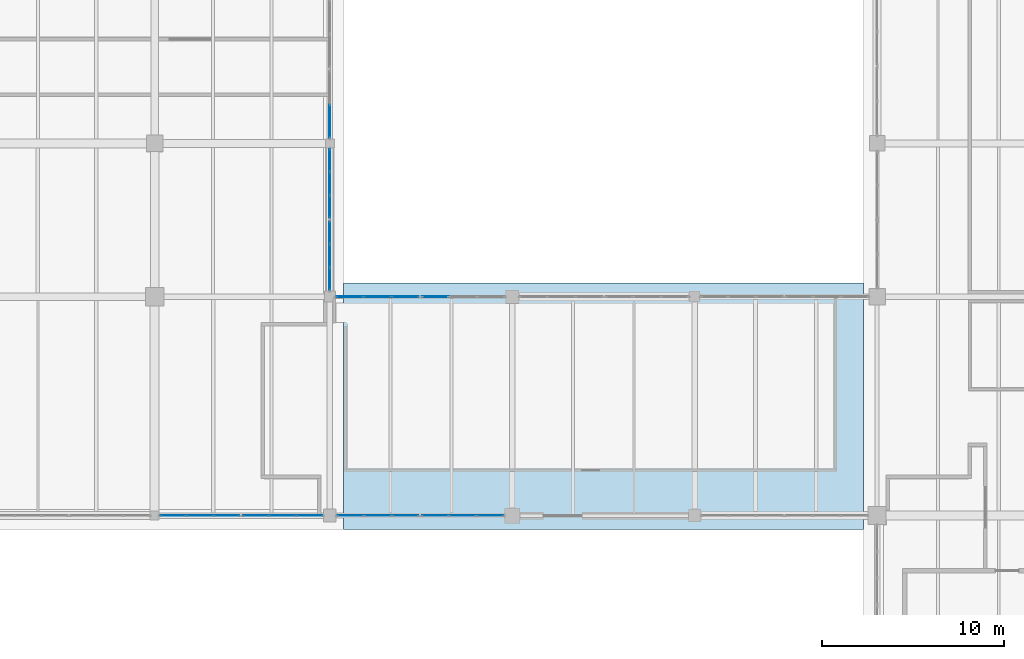
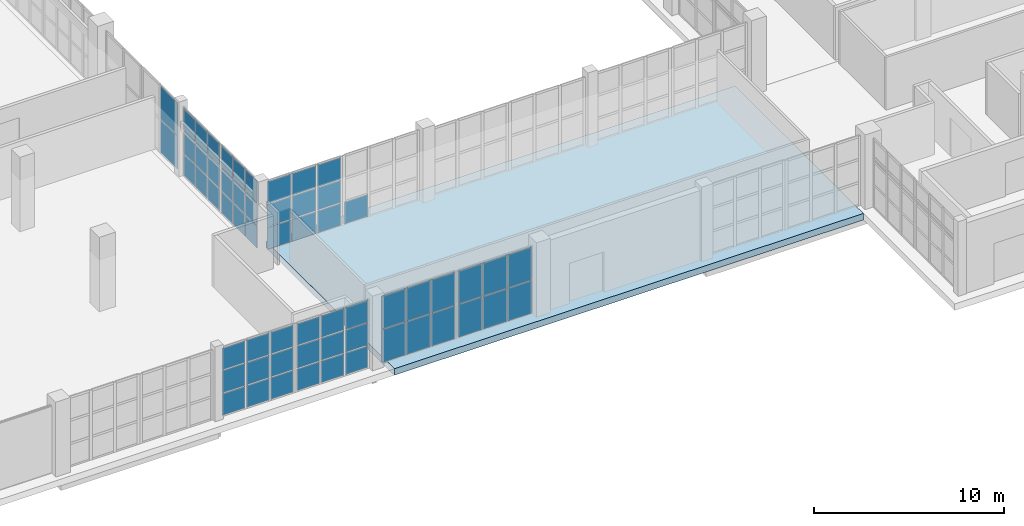
# One storey, part 80 of 121: 60 plates, 1 slab, 9 elements without a shape of their own.
"""IFC4 building model written with IfcOpenShell, lengths in metres."""

from ifc_helpers import new_model, si_unit, direction, frame, origin, origin_2d, place, context, subcontext, project, spatial, polyline, rectangle, outline, extrude, material, layer, layer_set, type_object, element, aggregate, save


model = new_model("IFC4")

# Units and contexts
model_context = context("Model", 3, precision=1e-05, world=origin(), true_north=direction((0.0, 1.0)))
body_context = subcontext(model_context, "Body", "Model", "MODEL_VIEW")
ifc_project = project(units=[si_unit("LENGTHUNIT", "METRE"), si_unit("AREAUNIT", "SQUARE_METRE"), si_unit("VOLUMEUNIT", "CUBIC_METRE"), si_unit("PLANEANGLEUNIT", "RADIAN"), si_unit("MASSUNIT", "GRAM", prefix="KILO")], contexts=[model_context])

# Site, building, storey
site_placement = place(None, origin())
site = spatial("IfcSite", under=ifc_project, at=site_placement, CompositionType="ELEMENT")
building_placement = place(site_placement, origin())
building = spatial("IfcBuilding", under=site, at=building_placement, Name="Zereglee Splitstone Museum", CompositionType="ELEMENT")
storey_placement = place(building_placement, origin())
storey = spatial("IfcBuildingStorey", under=building, at=storey_placement, Name="L00", CompositionType="ELEMENT", Elevation=0.0)

# Curtain wall, plate
ifc_material_1 = material(Name="Triple-glazed low-E argon glass and bronze-anodised aluminium", Category="aluminium")
ifc_layer_1 = layer(ifc_material_1, 0.179931640625)
ifc_layer_set_1 = layer_set([ifc_layer_1], Name="Triple-glazed low-E argon glass and bronze-anodised aluminium")
curtain_wall_type_1 = type_object("IfcCurtainWallType", Name="CW-0461-450", PredefinedType="USERDEFINED", material=ifc_layer_set_1)
curtain_wall_1_placement = place(storey_placement, origin())
curtain_wall_1 = element("IfcCurtainWall", 1, at=curtain_wall_1_placement, inside=storey, type_object=curtain_wall_type_1, Name="Glazed Curtain Wall CW-0461-450 (L00)", ObjectType="GLAZED CURTAIN WALL", PredefinedType="USERDEFINED")
ifc_material_2 = material(Name="Triple low-e argon insulated safety glass", Category="glass")
ifc_layer_2 = layer(ifc_material_2, 0.035888671875)
ifc_layer_set_2 = layer_set([ifc_layer_2], Name="Triple low-e argon insulated safety glass")
plate_type = type_object("IfcPlateType", Name="CWP-01", PredefinedType="CURTAIN_PANEL", material=ifc_layer_set_2)
plate_1_placement = place(storey_placement, frame((150.98779296875, 21.60009765625, 0.06494140625), z_axis=(0.0, 0.0, 1.0), x_axis=(-1.0, 0.0, 0.0)))
plate_1 = element("IfcPlate", 2, at=plate_1_placement, type_object=plate_type, Name="CW-0461-450 panel 3.1", PredefinedType="CURTAIN_PANEL", context=body_context, shape_type="SweptSolid", body=[
    extrude(rectangle(XDim=1.440673828125, YDim=0.035888671875, at=origin_2d()), origin(), (0.0, 0.0, 1.0), 1.402587890625),
])
aggregate(curtain_wall_1, [plate_1])

# Curtain wall, plates
ifc_layer_3 = layer(ifc_material_1, 0.179931640625)
ifc_layer_set_3 = layer_set([ifc_layer_3], Name="Triple-glazed low-E argon glass and bronze-anodised aluminium")
curtain_wall_type_2 = type_object("IfcCurtainWallType", Name="CW-0461-448", PredefinedType="USERDEFINED", material=ifc_layer_set_3)
curtain_wall_2_placement = place(storey_placement, origin())
curtain_wall_2 = element("IfcCurtainWall", 3, at=curtain_wall_2_placement, inside=storey, type_object=curtain_wall_type_2, Name="Glazed Curtain Wall CW-0461-448 (L00)", ObjectType="GLAZED CURTAIN WALL", PredefinedType="USERDEFINED")
plate_2_placement = place(storey_placement, frame((149.337158203125, 21.60009765625, 0.06494140625), z_axis=(0.0, 0.0, 1.0), x_axis=(-1.0, 0.0, 0.0)))
plate_2 = element("IfcPlate", 4, at=plate_2_placement, type_object=plate_type, Name="CW-0461-448 panel 1.1", PredefinedType="CURTAIN_PANEL", context=body_context, shape_type="SweptSolid", body=[
    extrude(rectangle(XDim=1.440673828125, YDim=0.035888671875, at=origin_2d()), origin(), (0.0, 0.0, 1.0), 1.395751953125),
])
plate_3_placement = place(storey_placement, frame((149.337158203125, 21.60009765625, 1.52587890625), z_axis=(0.0, 0.0, 1.0), x_axis=(-1.0, 0.0, 0.0)))
plate_3 = element("IfcPlate", 5, at=plate_3_placement, type_object=plate_type, Name="CW-0461-448 panel 1.2", PredefinedType="CURTAIN_PANEL", context=body_context, shape_type="SweptSolid", body=[
    extrude(rectangle(XDim=1.440673828125, YDim=0.035888671875, at=origin_2d()), origin(), (0.0, 0.0, 1.0), 1.428466796875),
])
plate_4_placement = place(storey_placement, frame((149.337158203125, 21.60009765625, 3.01904296875), z_axis=(0.0, 0.0, 1.0), x_axis=(-1.0, 0.0, 0.0)))
plate_4 = element("IfcPlate", 6, at=plate_4_placement, type_object=plate_type, Name="CW-0461-448 panel 1.3", PredefinedType="CURTAIN_PANEL", context=body_context, shape_type="SweptSolid", body=[
    extrude(rectangle(XDim=1.440673828125, YDim=0.035888671875, at=origin_2d()), origin(), (0.0, 0.0, 1.0), 1.395751953125),
])
plate_5_placement = place(storey_placement, frame((147.815185546875, 21.60009765625, 0.06494140625), z_axis=(0.0, 0.0, 1.0), x_axis=(-1.0, 0.0, 0.0)))
plate_5 = element("IfcPlate", 7, at=plate_5_placement, type_object=plate_type, Name="CW-0461-448 panel 2.1", PredefinedType="CURTAIN_PANEL", context=body_context, shape_type="SweptSolid", body=[
    extrude(rectangle(XDim=1.47314453125, YDim=0.035888671875, at=origin_2d()), origin(), (0.0, 0.0, 1.0), 1.395751953125),
])
plate_6_placement = place(storey_placement, frame((147.815185546875, 21.60009765625, 1.52587890625), z_axis=(0.0, 0.0, 1.0), x_axis=(-1.0, 0.0, 0.0)))
plate_6 = element("IfcPlate", 8, at=plate_6_placement, type_object=plate_type, Name="CW-0461-448 panel 2.2", PredefinedType="CURTAIN_PANEL", context=body_context, shape_type="SweptSolid", body=[
    extrude(rectangle(XDim=1.47314453125, YDim=0.035888671875, at=origin_2d()), origin(), (0.0, 0.0, 1.0), 1.428466796875),
])
plate_7_placement = place(storey_placement, frame((147.815185546875, 21.60009765625, 3.01904296875), z_axis=(0.0, 0.0, 1.0), x_axis=(-1.0, 0.0, 0.0)))
plate_7 = element("IfcPlate", 9, at=plate_7_placement, type_object=plate_type, Name="CW-0461-448 panel 2.3", PredefinedType="CURTAIN_PANEL", context=body_context, shape_type="SweptSolid", body=[
    extrude(rectangle(XDim=1.47314453125, YDim=0.035888671875, at=origin_2d()), origin(), (0.0, 0.0, 1.0), 1.395751953125),
])
plate_8_placement = place(storey_placement, frame((146.293212890625, 21.60009765625, 0.06494140625), z_axis=(0.0, 0.0, 1.0), x_axis=(-1.0, 0.0, 0.0)))
plate_8 = element("IfcPlate", 10, at=plate_8_placement, type_object=plate_type, Name="CW-0461-448 panel 3.1", PredefinedType="CURTAIN_PANEL", context=body_context, shape_type="SweptSolid", body=[
    extrude(rectangle(XDim=1.440673828125, YDim=0.035888671875, at=origin_2d()), origin(), (0.0, 0.0, 1.0), 1.395751953125),
])
plate_9_placement = place(storey_placement, frame((146.293212890625, 21.60009765625, 1.52587890625), z_axis=(0.0, 0.0, 1.0), x_axis=(-1.0, 0.0, 0.0)))
plate_9 = element("IfcPlate", 11, at=plate_9_placement, type_object=plate_type, Name="CW-0461-448 panel 3.2", PredefinedType="CURTAIN_PANEL", context=body_context, shape_type="SweptSolid", body=[
    extrude(rectangle(XDim=1.440673828125, YDim=0.035888671875, at=origin_2d()), origin(), (0.0, 0.0, 1.0), 1.428466796875),
])
plate_10_placement = place(storey_placement, frame((146.293212890625, 21.60009765625, 3.01904296875), z_axis=(0.0, 0.0, 1.0), x_axis=(-1.0, 0.0, 0.0)))
plate_10 = element("IfcPlate", 12, at=plate_10_placement, type_object=plate_type, Name="CW-0461-448 panel 3.3", PredefinedType="CURTAIN_PANEL", context=body_context, shape_type="SweptSolid", body=[
    extrude(rectangle(XDim=1.440673828125, YDim=0.035888671875, at=origin_2d()), origin(), (0.0, 0.0, 1.0), 1.395751953125),
])
aggregate(curtain_wall_2, [plate_2, plate_3, plate_4, plate_5, plate_6, plate_7, plate_8, plate_9, plate_10])

ifc_layer_4 = layer(ifc_material_1, 0.179931640625)
ifc_layer_set_4 = layer_set([ifc_layer_4], Name="Triple-glazed low-E argon glass and bronze-anodised aluminium")
curtain_wall_type_3 = type_object("IfcCurtainWallType", Name="CW-0388-444", PredefinedType="USERDEFINED", material=ifc_layer_set_4)
curtain_wall_3_placement = place(storey_placement, origin())
curtain_wall_3 = element("IfcCurtainWall", 13, at=curtain_wall_3_placement, inside=storey, type_object=curtain_wall_type_3, Name="Glazed Curtain Wall CW-0388-444 (L00)", ObjectType="GLAZED CURTAIN WALL", PredefinedType="USERDEFINED")
plate_11_placement = place(storey_placement, frame((145.199951171875, 22.5703125, 0.06494140625), z_axis=(0.0, 0.0, 1.0), x_axis=(0.0, 1.0, 0.0)))
plate_11 = element("IfcPlate", 14, at=plate_11_placement, type_object=plate_type, Name="CW-0388-444 panel 1.1", PredefinedType="CURTAIN_PANEL", context=body_context, shape_type="SweptSolid", body=[
    extrude(rectangle(XDim=1.19482421875, YDim=0.035888671875, at=origin_2d()), origin(), (0.0, 0.0, 1.0), 1.382568359375),
])
plate_12_placement = place(storey_placement, frame((145.199951171875, 22.5703125, 1.512451171875), z_axis=(0.0, 0.0, 1.0), x_axis=(0.0, 1.0, 0.0)))
plate_12 = element("IfcPlate", 15, at=plate_12_placement, type_object=plate_type, Name="CW-0388-444 panel 1.2", PredefinedType="CURTAIN_PANEL", context=body_context, shape_type="SweptSolid", body=[
    extrude(rectangle(XDim=1.19482421875, YDim=0.035888671875, at=origin_2d()), origin(), (0.0, 0.0, 1.0), 1.4150390625),
])
plate_13_placement = place(storey_placement, frame((145.199951171875, 22.5703125, 2.99267578125), z_axis=(0.0, 0.0, 1.0), x_axis=(0.0, 1.0, 0.0)))
plate_13 = element("IfcPlate", 16, at=plate_13_placement, type_object=plate_type, Name="CW-0388-444 panel 1.3", PredefinedType="CURTAIN_PANEL", context=body_context, shape_type="SweptSolid", body=[
    extrude(rectangle(XDim=1.19482421875, YDim=0.035888671875, at=origin_2d()), origin(), (0.0, 0.0, 1.0), 1.382568359375),
])
plate_14_placement = place(storey_placement, frame((145.199951171875, 23.846435546875, 0.06494140625), z_axis=(0.0, 0.0, 1.0), x_axis=(0.0, 1.0, 0.0)))
plate_14 = element("IfcPlate", 17, at=plate_14_placement, type_object=plate_type, Name="CW-0388-444 panel 2.1", PredefinedType="CURTAIN_PANEL", context=body_context, shape_type="SweptSolid", body=[
    extrude(rectangle(XDim=1.227294921875, YDim=0.035888671875, at=origin_2d()), origin(), (0.0, 0.0, 1.0), 1.382568359375),
])
plate_15_placement = place(storey_placement, frame((145.199951171875, 23.846435546875, 1.512451171875), z_axis=(0.0, 0.0, 1.0), x_axis=(0.0, 1.0, 0.0)))
plate_15 = element("IfcPlate", 18, at=plate_15_placement, type_object=plate_type, Name="CW-0388-444 panel 2.2", PredefinedType="CURTAIN_PANEL", context=body_context, shape_type="SweptSolid", body=[
    extrude(rectangle(XDim=1.227294921875, YDim=0.035888671875, at=origin_2d()), origin(), (0.0, 0.0, 1.0), 1.4150390625),
])
plate_16_placement = place(storey_placement, frame((145.199951171875, 23.846435546875, 2.99267578125), z_axis=(0.0, 0.0, 1.0), x_axis=(0.0, 1.0, 0.0)))
plate_16 = element("IfcPlate", 19, at=plate_16_placement, type_object=plate_type, Name="CW-0388-444 panel 2.3", PredefinedType="CURTAIN_PANEL", context=body_context, shape_type="SweptSolid", body=[
    extrude(rectangle(XDim=1.227294921875, YDim=0.035888671875, at=origin_2d()), origin(), (0.0, 0.0, 1.0), 1.382568359375),
])
plate_17_placement = place(storey_placement, frame((145.199951171875, 25.12255859375, 0.06494140625), z_axis=(0.0, 0.0, 1.0), x_axis=(0.0, 1.0, 0.0)))
plate_17 = element("IfcPlate", 20, at=plate_17_placement, type_object=plate_type, Name="CW-0388-444 panel 3.1", PredefinedType="CURTAIN_PANEL", context=body_context, shape_type="SweptSolid", body=[
    extrude(rectangle(XDim=1.19482421875, YDim=0.035888671875, at=origin_2d()), origin(), (0.0, 0.0, 1.0), 1.382568359375),
])
plate_18_placement = place(storey_placement, frame((145.199951171875, 25.12255859375, 1.512451171875), z_axis=(0.0, 0.0, 1.0), x_axis=(0.0, 1.0, 0.0)))
plate_18 = element("IfcPlate", 21, at=plate_18_placement, type_object=plate_type, Name="CW-0388-444 panel 3.2", PredefinedType="CURTAIN_PANEL", context=body_context, shape_type="SweptSolid", body=[
    extrude(rectangle(XDim=1.19482421875, YDim=0.035888671875, at=origin_2d()), origin(), (0.0, 0.0, 1.0), 1.4150390625),
])
plate_19_placement = place(storey_placement, frame((145.199951171875, 25.12255859375, 2.99267578125), z_axis=(0.0, 0.0, 1.0), x_axis=(0.0, 1.0, 0.0)))
plate_19 = element("IfcPlate", 22, at=plate_19_placement, type_object=plate_type, Name="CW-0388-444 panel 3.3", PredefinedType="CURTAIN_PANEL", context=body_context, shape_type="SweptSolid", body=[
    extrude(rectangle(XDim=1.19482421875, YDim=0.035888671875, at=origin_2d()), origin(), (0.0, 0.0, 1.0), 1.382568359375),
])
aggregate(curtain_wall_3, [plate_11, plate_12, plate_13, plate_14, plate_15, plate_16, plate_17, plate_18, plate_19])

ifc_layer_5 = layer(ifc_material_1, 0.179931640625)
ifc_layer_set_5 = layer_set([ifc_layer_5], Name="Triple-glazed low-E argon glass and bronze-anodised aluminium")
curtain_wall_type_4 = type_object("IfcCurtainWallType", Name="CW-0388-442", PredefinedType="USERDEFINED", material=ifc_layer_set_5)
curtain_wall_4_placement = place(storey_placement, origin())
curtain_wall_4 = element("IfcCurtainWall", 23, at=curtain_wall_4_placement, inside=storey, type_object=curtain_wall_type_4, Name="Glazed Curtain Wall CW-0388-442 (L00)", ObjectType="GLAZED CURTAIN WALL", PredefinedType="USERDEFINED")
plate_20_placement = place(storey_placement, frame((145.199951171875, 26.52734375, 0.06494140625), z_axis=(0.0, 0.0, 1.0), x_axis=(0.0, 1.0, 0.0)))
plate_20 = element("IfcPlate", 24, at=plate_20_placement, type_object=plate_type, Name="CW-0388-442 panel 1.1", PredefinedType="CURTAIN_PANEL", context=body_context, shape_type="SweptSolid", body=[
    extrude(rectangle(XDim=1.19482421875, YDim=0.035888671875, at=origin_2d()), origin(), (0.0, 0.0, 1.0), 1.375732421875),
])
plate_21_placement = place(storey_placement, frame((145.199951171875, 26.52734375, 1.505859375), z_axis=(0.0, 0.0, 1.0), x_axis=(0.0, 1.0, 0.0)))
plate_21 = element("IfcPlate", 25, at=plate_21_placement, type_object=plate_type, Name="CW-0388-442 panel 1.2", PredefinedType="CURTAIN_PANEL", context=body_context, shape_type="SweptSolid", body=[
    extrude(rectangle(XDim=1.19482421875, YDim=0.035888671875, at=origin_2d()), origin(), (0.0, 0.0, 1.0), 1.408447265625),
])
plate_22_placement = place(storey_placement, frame((145.199951171875, 26.52734375, 2.97900390625), z_axis=(0.0, 0.0, 1.0), x_axis=(0.0, 1.0, 0.0)))
plate_22 = element("IfcPlate", 26, at=plate_22_placement, type_object=plate_type, Name="CW-0388-442 panel 1.3", PredefinedType="CURTAIN_PANEL", context=body_context, shape_type="SweptSolid", body=[
    extrude(rectangle(XDim=1.19482421875, YDim=0.035888671875, at=origin_2d()), origin(), (0.0, 0.0, 1.0), 1.375732421875),
])
plate_23_placement = place(storey_placement, frame((145.199951171875, 27.803466796875, 0.06494140625), z_axis=(0.0, 0.0, 1.0), x_axis=(0.0, 1.0, 0.0)))
plate_23 = element("IfcPlate", 27, at=plate_23_placement, type_object=plate_type, Name="CW-0388-442 panel 2.1", PredefinedType="CURTAIN_PANEL", context=body_context, shape_type="SweptSolid", body=[
    extrude(rectangle(XDim=1.227294921875, YDim=0.035888671875, at=origin_2d()), origin(), (0.0, 0.0, 1.0), 1.375732421875),
])
plate_24_placement = place(storey_placement, frame((145.199951171875, 27.803466796875, 1.505859375), z_axis=(0.0, 0.0, 1.0), x_axis=(0.0, 1.0, 0.0)))
plate_24 = element("IfcPlate", 28, at=plate_24_placement, type_object=plate_type, Name="CW-0388-442 panel 2.2", PredefinedType="CURTAIN_PANEL", context=body_context, shape_type="SweptSolid", body=[
    extrude(rectangle(XDim=1.227294921875, YDim=0.035888671875, at=origin_2d()), origin(), (0.0, 0.0, 1.0), 1.408447265625),
])
plate_25_placement = place(storey_placement, frame((145.199951171875, 27.803466796875, 2.97900390625), z_axis=(0.0, 0.0, 1.0), x_axis=(0.0, 1.0, 0.0)))
plate_25 = element("IfcPlate", 29, at=plate_25_placement, type_object=plate_type, Name="CW-0388-442 panel 2.3", PredefinedType="CURTAIN_PANEL", context=body_context, shape_type="SweptSolid", body=[
    extrude(rectangle(XDim=1.227294921875, YDim=0.035888671875, at=origin_2d()), origin(), (0.0, 0.0, 1.0), 1.375732421875),
])
plate_26_placement = place(storey_placement, frame((145.199951171875, 29.07958984375, 0.06494140625), z_axis=(0.0, 0.0, 1.0), x_axis=(0.0, 1.0, 0.0)))
plate_26 = element("IfcPlate", 30, at=plate_26_placement, type_object=plate_type, Name="CW-0388-442 panel 3.1", PredefinedType="CURTAIN_PANEL", context=body_context, shape_type="SweptSolid", body=[
    extrude(rectangle(XDim=1.19482421875, YDim=0.035888671875, at=origin_2d()), origin(), (0.0, 0.0, 1.0), 1.375732421875),
])
plate_27_placement = place(storey_placement, frame((145.199951171875, 29.07958984375, 1.505859375), z_axis=(0.0, 0.0, 1.0), x_axis=(0.0, 1.0, 0.0)))
plate_27 = element("IfcPlate", 31, at=plate_27_placement, type_object=plate_type, Name="CW-0388-442 panel 3.2", PredefinedType="CURTAIN_PANEL", context=body_context, shape_type="SweptSolid", body=[
    extrude(rectangle(XDim=1.19482421875, YDim=0.035888671875, at=origin_2d()), origin(), (0.0, 0.0, 1.0), 1.408447265625),
])
plate_28_placement = place(storey_placement, frame((145.199951171875, 29.07958984375, 2.97900390625), z_axis=(0.0, 0.0, 1.0), x_axis=(0.0, 1.0, 0.0)))
plate_28 = element("IfcPlate", 32, at=plate_28_placement, type_object=plate_type, Name="CW-0388-442 panel 3.3", PredefinedType="CURTAIN_PANEL", context=body_context, shape_type="SweptSolid", body=[
    extrude(rectangle(XDim=1.19482421875, YDim=0.035888671875, at=origin_2d()), origin(), (0.0, 0.0, 1.0), 1.375732421875),
])
aggregate(curtain_wall_4, [plate_20, plate_21, plate_22, plate_23, plate_24, plate_25, plate_26, plate_27, plate_28])

ifc_layer_6 = layer(ifc_material_1, 0.179931640625)
ifc_layer_set_6 = layer_set([ifc_layer_6], Name="Triple-glazed low-E argon glass and bronze-anodised aluminium")
curtain_wall_type_5 = type_object("IfcCurtainWallType", Name="CW-0378-438", PredefinedType="USERDEFINED", material=ifc_layer_set_6)
curtain_wall_5_placement = place(storey_placement, origin())
curtain_wall_5 = element("IfcCurtainWall", 33, at=curtain_wall_5_placement, inside=storey, type_object=curtain_wall_type_5, Name="Glazed Curtain Wall CW-0378-438 (L00)", ObjectType="GLAZED CURTAIN WALL", PredefinedType="USERDEFINED")
plate_29_placement = place(storey_placement, frame((145.199951171875, 31.218505859375, 0.06494140625), z_axis=(0.0, 0.0, 1.0), x_axis=(0.0, 1.0, 0.0)))
plate_29 = element("IfcPlate", 34, at=plate_29_placement, type_object=plate_type, Name="CW-0378-438 panel 1.1", PredefinedType="CURTAIN_PANEL", context=body_context, shape_type="SweptSolid", body=[
    extrude(rectangle(XDim=1.791015625, YDim=0.035888671875, at=origin_2d()), origin(), (0.0, 0.0, 1.0), 2.092529296875),
])
plate_30_placement = place(storey_placement, frame((145.199951171875, 31.218505859375, 2.22265625), z_axis=(0.0, 0.0, 1.0), x_axis=(0.0, 1.0, 0.0)))
plate_30 = element("IfcPlate", 35, at=plate_30_placement, type_object=plate_type, Name="CW-0378-438 panel 1.2", PredefinedType="CURTAIN_PANEL", context=body_context, shape_type="SweptSolid", body=[
    extrude(rectangle(XDim=1.791015625, YDim=0.035888671875, at=origin_2d()), origin(), (0.0, 0.0, 1.0), 2.092529296875),
])
aggregate(curtain_wall_5, [plate_29, plate_30])

ifc_layer_7 = layer(ifc_material_1, 0.179931640625)
ifc_layer_set_7 = layer_set([ifc_layer_7], Name="Triple-glazed low-E argon glass and bronze-anodised aluminium")
curtain_wall_type_6 = type_object("IfcCurtainWallType", Name="CW-0445-444", PredefinedType="USERDEFINED", material=ifc_layer_set_7)
curtain_wall_6_placement = place(storey_placement, origin())
curtain_wall_6 = element("IfcCurtainWall", 36, at=curtain_wall_6_placement, inside=storey, type_object=curtain_wall_type_6, Name="Glazed Curtain Wall CW-0445-444 (L00)", ObjectType="GLAZED CURTAIN WALL", PredefinedType="USERDEFINED")
plate_31_placement = place(storey_placement, frame((136.6162109375, 9.60009765625, 0.06494140625), z_axis=(0.0, 0.0, 1.0), x_axis=(1.0, 0.0, 0.0)))
plate_31 = element("IfcPlate", 37, at=plate_31_placement, type_object=plate_type, Name="CW-0445-444 panel 1.1", PredefinedType="CURTAIN_PANEL", context=body_context, shape_type="SweptSolid", body=[
    extrude(rectangle(XDim=1.386474609375, YDim=0.035888671875, at=origin_2d()), origin(), (0.0, 0.0, 1.0), 1.382568359375),
])
plate_32_placement = place(storey_placement, frame((136.6162109375, 9.60009765625, 1.512451171875), z_axis=(0.0, 0.0, 1.0), x_axis=(1.0, 0.0, 0.0)))
plate_32 = element("IfcPlate", 38, at=plate_32_placement, type_object=plate_type, Name="CW-0445-444 panel 1.2", PredefinedType="CURTAIN_PANEL", context=body_context, shape_type="SweptSolid", body=[
    extrude(rectangle(XDim=1.386474609375, YDim=0.035888671875, at=origin_2d()), origin(), (0.0, 0.0, 1.0), 1.4150390625),
])
plate_33_placement = place(storey_placement, frame((136.6162109375, 9.60009765625, 2.99267578125), z_axis=(0.0, 0.0, 1.0), x_axis=(1.0, 0.0, 0.0)))
plate_33 = element("IfcPlate", 39, at=plate_33_placement, type_object=plate_type, Name="CW-0445-444 panel 1.3", PredefinedType="CURTAIN_PANEL", context=body_context, shape_type="SweptSolid", body=[
    extrude(rectangle(XDim=1.386474609375, YDim=0.035888671875, at=origin_2d()), origin(), (0.0, 0.0, 1.0), 1.382568359375),
])
plate_34_placement = place(storey_placement, frame((138.083984375, 9.60009765625, 0.06494140625), z_axis=(0.0, 0.0, 1.0), x_axis=(1.0, 0.0, 0.0)))
plate_34 = element("IfcPlate", 40, at=plate_34_placement, type_object=plate_type, Name="CW-0445-444 panel 2.1", PredefinedType="CURTAIN_PANEL", context=body_context, shape_type="SweptSolid", body=[
    extrude(rectangle(XDim=1.4189453125, YDim=0.035888671875, at=origin_2d()), origin(), (0.0, 0.0, 1.0), 1.382568359375),
])
plate_35_placement = place(storey_placement, frame((138.083984375, 9.60009765625, 1.512451171875), z_axis=(0.0, 0.0, 1.0), x_axis=(1.0, 0.0, 0.0)))
plate_35 = element("IfcPlate", 41, at=plate_35_placement, type_object=plate_type, Name="CW-0445-444 panel 2.2", PredefinedType="CURTAIN_PANEL", context=body_context, shape_type="SweptSolid", body=[
    extrude(rectangle(XDim=1.4189453125, YDim=0.035888671875, at=origin_2d()), origin(), (0.0, 0.0, 1.0), 1.4150390625),
])
plate_36_placement = place(storey_placement, frame((138.083984375, 9.60009765625, 2.99267578125), z_axis=(0.0, 0.0, 1.0), x_axis=(1.0, 0.0, 0.0)))
plate_36 = element("IfcPlate", 42, at=plate_36_placement, type_object=plate_type, Name="CW-0445-444 panel 2.3", PredefinedType="CURTAIN_PANEL", context=body_context, shape_type="SweptSolid", body=[
    extrude(rectangle(XDim=1.4189453125, YDim=0.035888671875, at=origin_2d()), origin(), (0.0, 0.0, 1.0), 1.382568359375),
])
plate_37_placement = place(storey_placement, frame((139.5517578125, 9.60009765625, 0.06494140625), z_axis=(0.0, 0.0, 1.0), x_axis=(1.0, 0.0, 0.0)))
plate_37 = element("IfcPlate", 43, at=plate_37_placement, type_object=plate_type, Name="CW-0445-444 panel 3.1", PredefinedType="CURTAIN_PANEL", context=body_context, shape_type="SweptSolid", body=[
    extrude(rectangle(XDim=1.386474609375, YDim=0.035888671875, at=origin_2d()), origin(), (0.0, 0.0, 1.0), 1.382568359375),
])
plate_38_placement = place(storey_placement, frame((139.5517578125, 9.60009765625, 1.512451171875), z_axis=(0.0, 0.0, 1.0), x_axis=(1.0, 0.0, 0.0)))
plate_38 = element("IfcPlate", 44, at=plate_38_placement, type_object=plate_type, Name="CW-0445-444 panel 3.2", PredefinedType="CURTAIN_PANEL", context=body_context, shape_type="SweptSolid", body=[
    extrude(rectangle(XDim=1.386474609375, YDim=0.035888671875, at=origin_2d()), origin(), (0.0, 0.0, 1.0), 1.4150390625),
])
plate_39_placement = place(storey_placement, frame((139.5517578125, 9.60009765625, 2.99267578125), z_axis=(0.0, 0.0, 1.0), x_axis=(1.0, 0.0, 0.0)))
plate_39 = element("IfcPlate", 45, at=plate_39_placement, type_object=plate_type, Name="CW-0445-444 panel 3.3", PredefinedType="CURTAIN_PANEL", context=body_context, shape_type="SweptSolid", body=[
    extrude(rectangle(XDim=1.386474609375, YDim=0.035888671875, at=origin_2d()), origin(), (0.0, 0.0, 1.0), 1.382568359375),
])
aggregate(curtain_wall_6, [plate_31, plate_32, plate_33, plate_34, plate_35, plate_36, plate_37, plate_38, plate_39])

ifc_layer_8 = layer(ifc_material_1, 0.179931640625)
ifc_layer_set_8 = layer_set([ifc_layer_8], Name="Triple-glazed low-E argon glass and bronze-anodised aluminium")
curtain_wall_type_7 = type_object("IfcCurtainWallType", Name="CW-0445-442", PredefinedType="USERDEFINED", material=ifc_layer_set_8)
curtain_wall_7_placement = place(storey_placement, origin())
curtain_wall_7 = element("IfcCurtainWall", 46, at=curtain_wall_7_placement, inside=storey, type_object=curtain_wall_type_7, Name="Glazed Curtain Wall CW-0445-442 (L00)", ObjectType="GLAZED CURTAIN WALL", PredefinedType="USERDEFINED")
plate_40_placement = place(storey_placement, frame((141.148193359375, 9.60009765625, 0.06494140625), z_axis=(0.0, 0.0, 1.0), x_axis=(1.0, 0.0, 0.0)))
plate_40 = element("IfcPlate", 47, at=plate_40_placement, type_object=plate_type, Name="CW-0445-442 panel 1.1", PredefinedType="CURTAIN_PANEL", context=body_context, shape_type="SweptSolid", body=[
    extrude(rectangle(XDim=1.386474609375, YDim=0.035888671875, at=origin_2d()), origin(), (0.0, 0.0, 1.0), 1.375732421875),
])
plate_41_placement = place(storey_placement, frame((141.148193359375, 9.60009765625, 1.505859375), z_axis=(0.0, 0.0, 1.0), x_axis=(1.0, 0.0, 0.0)))
plate_41 = element("IfcPlate", 48, at=plate_41_placement, type_object=plate_type, Name="CW-0445-442 panel 1.2", PredefinedType="CURTAIN_PANEL", context=body_context, shape_type="SweptSolid", body=[
    extrude(rectangle(XDim=1.386474609375, YDim=0.035888671875, at=origin_2d()), origin(), (0.0, 0.0, 1.0), 1.408447265625),
])
plate_42_placement = place(storey_placement, frame((141.148193359375, 9.60009765625, 2.97900390625), z_axis=(0.0, 0.0, 1.0), x_axis=(1.0, 0.0, 0.0)))
plate_42 = element("IfcPlate", 49, at=plate_42_placement, type_object=plate_type, Name="CW-0445-442 panel 1.3", PredefinedType="CURTAIN_PANEL", context=body_context, shape_type="SweptSolid", body=[
    extrude(rectangle(XDim=1.386474609375, YDim=0.035888671875, at=origin_2d()), origin(), (0.0, 0.0, 1.0), 1.375732421875),
])
plate_43_placement = place(storey_placement, frame((142.615966796875, 9.60009765625, 0.06494140625), z_axis=(0.0, 0.0, 1.0), x_axis=(1.0, 0.0, 0.0)))
plate_43 = element("IfcPlate", 50, at=plate_43_placement, type_object=plate_type, Name="CW-0445-442 panel 2.1", PredefinedType="CURTAIN_PANEL", context=body_context, shape_type="SweptSolid", body=[
    extrude(rectangle(XDim=1.4189453125, YDim=0.035888671875, at=origin_2d()), origin(), (0.0, 0.0, 1.0), 1.375732421875),
])
plate_44_placement = place(storey_placement, frame((142.615966796875, 9.60009765625, 1.505859375), z_axis=(0.0, 0.0, 1.0), x_axis=(1.0, 0.0, 0.0)))
plate_44 = element("IfcPlate", 51, at=plate_44_placement, type_object=plate_type, Name="CW-0445-442 panel 2.2", PredefinedType="CURTAIN_PANEL", context=body_context, shape_type="SweptSolid", body=[
    extrude(rectangle(XDim=1.4189453125, YDim=0.035888671875, at=origin_2d()), origin(), (0.0, 0.0, 1.0), 1.408447265625),
])
plate_45_placement = place(storey_placement, frame((142.615966796875, 9.60009765625, 2.97900390625), z_axis=(0.0, 0.0, 1.0), x_axis=(1.0, 0.0, 0.0)))
plate_45 = element("IfcPlate", 52, at=plate_45_placement, type_object=plate_type, Name="CW-0445-442 panel 2.3", PredefinedType="CURTAIN_PANEL", context=body_context, shape_type="SweptSolid", body=[
    extrude(rectangle(XDim=1.4189453125, YDim=0.035888671875, at=origin_2d()), origin(), (0.0, 0.0, 1.0), 1.375732421875),
])
plate_46_placement = place(storey_placement, frame((144.083740234375, 9.60009765625, 0.06494140625), z_axis=(0.0, 0.0, 1.0), x_axis=(1.0, 0.0, 0.0)))
plate_46 = element("IfcPlate", 53, at=plate_46_placement, type_object=plate_type, Name="CW-0445-442 panel 3.1", PredefinedType="CURTAIN_PANEL", context=body_context, shape_type="SweptSolid", body=[
    extrude(rectangle(XDim=1.386474609375, YDim=0.035888671875, at=origin_2d()), origin(), (0.0, 0.0, 1.0), 1.375732421875),
])
plate_47_placement = place(storey_placement, frame((144.083740234375, 9.60009765625, 1.505859375), z_axis=(0.0, 0.0, 1.0), x_axis=(1.0, 0.0, 0.0)))
plate_47 = element("IfcPlate", 54, at=plate_47_placement, type_object=plate_type, Name="CW-0445-442 panel 3.2", PredefinedType="CURTAIN_PANEL", context=body_context, shape_type="SweptSolid", body=[
    extrude(rectangle(XDim=1.386474609375, YDim=0.035888671875, at=origin_2d()), origin(), (0.0, 0.0, 1.0), 1.408447265625),
])
plate_48_placement = place(storey_placement, frame((144.083740234375, 9.60009765625, 2.97900390625), z_axis=(0.0, 0.0, 1.0), x_axis=(1.0, 0.0, 0.0)))
plate_48 = element("IfcPlate", 55, at=plate_48_placement, type_object=plate_type, Name="CW-0445-442 panel 3.3", PredefinedType="CURTAIN_PANEL", context=body_context, shape_type="SweptSolid", body=[
    extrude(rectangle(XDim=1.386474609375, YDim=0.035888671875, at=origin_2d()), origin(), (0.0, 0.0, 1.0), 1.375732421875),
])
aggregate(curtain_wall_7, [plate_40, plate_41, plate_42, plate_43, plate_44, plate_45, plate_46, plate_47, plate_48])

ifc_layer_9 = layer(ifc_material_1, 0.179931640625)
ifc_layer_set_9 = layer_set([ifc_layer_9], Name="Triple-glazed low-E argon glass and bronze-anodised aluminium")
curtain_wall_type_8 = type_object("IfcCurtainWallType", Name="CW-0456-438", PredefinedType="USERDEFINED", material=ifc_layer_set_9)
curtain_wall_8_placement = place(storey_placement, origin())
curtain_wall_8 = element("IfcCurtainWall", 56, at=curtain_wall_8_placement, inside=storey, type_object=curtain_wall_type_8, Name="Glazed Curtain Wall CW-0456-438 (L00)", ObjectType="GLAZED CURTAIN WALL", PredefinedType="USERDEFINED")
plate_49_placement = place(storey_placement, frame((146.3349609375, 9.60009765625, 0.06494140625), z_axis=(0.0, 0.0, 1.0), x_axis=(1.0, 0.0, 0.0)))
plate_49 = element("IfcPlate", 57, at=plate_49_placement, type_object=plate_type, Name="CW-0456-438 panel 1.1", PredefinedType="CURTAIN_PANEL", context=body_context, shape_type="SweptSolid", body=[
    extrude(rectangle(XDim=1.424072265625, YDim=0.035888671875, at=origin_2d()), origin(), (0.0, 0.0, 1.0), 2.092529296875),
])
plate_50_placement = place(storey_placement, frame((146.3349609375, 9.60009765625, 2.22265625), z_axis=(0.0, 0.0, 1.0), x_axis=(1.0, 0.0, 0.0)))
plate_50 = element("IfcPlate", 58, at=plate_50_placement, type_object=plate_type, Name="CW-0456-438 panel 1.2", PredefinedType="CURTAIN_PANEL", context=body_context, shape_type="SweptSolid", body=[
    extrude(rectangle(XDim=1.424072265625, YDim=0.035888671875, at=origin_2d()), origin(), (0.0, 0.0, 1.0), 2.092529296875),
])
plate_51_placement = place(storey_placement, frame((147.84033203125, 9.60009765625, 0.06494140625), z_axis=(0.0, 0.0, 1.0), x_axis=(1.0, 0.0, 0.0)))
plate_51 = element("IfcPlate", 59, at=plate_51_placement, type_object=plate_type, Name="CW-0456-438 panel 2.1", PredefinedType="CURTAIN_PANEL", context=body_context, shape_type="SweptSolid", body=[
    extrude(rectangle(XDim=1.45654296875, YDim=0.035888671875, at=origin_2d()), origin(), (0.0, 0.0, 1.0), 2.092529296875),
])
plate_52_placement = place(storey_placement, frame((147.84033203125, 9.60009765625, 2.22265625), z_axis=(0.0, 0.0, 1.0), x_axis=(1.0, 0.0, 0.0)))
plate_52 = element("IfcPlate", 60, at=plate_52_placement, type_object=plate_type, Name="CW-0456-438 panel 2.2", PredefinedType="CURTAIN_PANEL", context=body_context, shape_type="SweptSolid", body=[
    extrude(rectangle(XDim=1.45654296875, YDim=0.035888671875, at=origin_2d()), origin(), (0.0, 0.0, 1.0), 2.092529296875),
])
plate_53_placement = place(storey_placement, frame((149.345458984375, 9.60009765625, 0.06494140625), z_axis=(0.0, 0.0, 1.0), x_axis=(1.0, 0.0, 0.0)))
plate_53 = element("IfcPlate", 61, at=plate_53_placement, type_object=plate_type, Name="CW-0456-438 panel 3.1", PredefinedType="CURTAIN_PANEL", context=body_context, shape_type="SweptSolid", body=[
    extrude(rectangle(XDim=1.424072265625, YDim=0.035888671875, at=origin_2d()), origin(), (0.0, 0.0, 1.0), 2.092529296875),
])
plate_54_placement = place(storey_placement, frame((149.345458984375, 9.60009765625, 2.22265625), z_axis=(0.0, 0.0, 1.0), x_axis=(1.0, 0.0, 0.0)))
plate_54 = element("IfcPlate", 62, at=plate_54_placement, type_object=plate_type, Name="CW-0456-438 panel 3.2", PredefinedType="CURTAIN_PANEL", context=body_context, shape_type="SweptSolid", body=[
    extrude(rectangle(XDim=1.424072265625, YDim=0.035888671875, at=origin_2d()), origin(), (0.0, 0.0, 1.0), 2.092529296875),
])
aggregate(curtain_wall_8, [plate_49, plate_50, plate_51, plate_52, plate_53, plate_54])

ifc_layer_10 = layer(ifc_material_1, 0.179931640625)
ifc_layer_set_10 = layer_set([ifc_layer_10], Name="Triple-glazed low-E argon glass and bronze-anodised aluminium")
curtain_wall_type_9 = type_object("IfcCurtainWallType", Name="CW-0456-436", PredefinedType="USERDEFINED", material=ifc_layer_set_10)
curtain_wall_9_placement = place(storey_placement, origin())
curtain_wall_9 = element("IfcCurtainWall", 63, at=curtain_wall_9_placement, inside=storey, type_object=curtain_wall_type_9, Name="Glazed Curtain Wall CW-0456-436 (L00)", ObjectType="GLAZED CURTAIN WALL", PredefinedType="USERDEFINED")
plate_55_placement = place(storey_placement, frame((150.9794921875, 9.60009765625, 0.06494140625), z_axis=(0.0, 0.0, 1.0), x_axis=(1.0, 0.0, 0.0)))
plate_55 = element("IfcPlate", 64, at=plate_55_placement, type_object=plate_type, Name="CW-0456-436 panel 1.1", PredefinedType="CURTAIN_PANEL", context=body_context, shape_type="SweptSolid", body=[
    extrude(rectangle(XDim=1.424072265625, YDim=0.035888671875, at=origin_2d()), origin(), (0.0, 0.0, 1.0), 2.08251953125),
])
plate_56_placement = place(storey_placement, frame((150.9794921875, 9.60009765625, 2.21240234375), z_axis=(0.0, 0.0, 1.0), x_axis=(1.0, 0.0, 0.0)))
plate_56 = element("IfcPlate", 65, at=plate_56_placement, type_object=plate_type, Name="CW-0456-436 panel 1.2", PredefinedType="CURTAIN_PANEL", context=body_context, shape_type="SweptSolid", body=[
    extrude(rectangle(XDim=1.424072265625, YDim=0.035888671875, at=origin_2d()), origin(), (0.0, 0.0, 1.0), 2.08251953125),
])
plate_57_placement = place(storey_placement, frame((152.48486328125, 9.60009765625, 0.06494140625), z_axis=(0.0, 0.0, 1.0), x_axis=(1.0, 0.0, 0.0)))
plate_57 = element("IfcPlate", 66, at=plate_57_placement, type_object=plate_type, Name="CW-0456-436 panel 2.1", PredefinedType="CURTAIN_PANEL", context=body_context, shape_type="SweptSolid", body=[
    extrude(rectangle(XDim=1.45654296875, YDim=0.035888671875, at=origin_2d()), origin(), (0.0, 0.0, 1.0), 2.08251953125),
])
plate_58_placement = place(storey_placement, frame((152.48486328125, 9.60009765625, 2.21240234375), z_axis=(0.0, 0.0, 1.0), x_axis=(1.0, 0.0, 0.0)))
plate_58 = element("IfcPlate", 67, at=plate_58_placement, type_object=plate_type, Name="CW-0456-436 panel 2.2", PredefinedType="CURTAIN_PANEL", context=body_context, shape_type="SweptSolid", body=[
    extrude(rectangle(XDim=1.45654296875, YDim=0.035888671875, at=origin_2d()), origin(), (0.0, 0.0, 1.0), 2.08251953125),
])
plate_59_placement = place(storey_placement, frame((153.989990234375, 9.60009765625, 0.06494140625), z_axis=(0.0, 0.0, 1.0), x_axis=(1.0, 0.0, 0.0)))
plate_59 = element("IfcPlate", 68, at=plate_59_placement, type_object=plate_type, Name="CW-0456-436 panel 3.1", PredefinedType="CURTAIN_PANEL", context=body_context, shape_type="SweptSolid", body=[
    extrude(rectangle(XDim=1.424072265625, YDim=0.035888671875, at=origin_2d()), origin(), (0.0, 0.0, 1.0), 2.08251953125),
])
plate_60_placement = place(storey_placement, frame((153.989990234375, 9.60009765625, 2.21240234375), z_axis=(0.0, 0.0, 1.0), x_axis=(1.0, 0.0, 0.0)))
plate_60 = element("IfcPlate", 69, at=plate_60_placement, type_object=plate_type, Name="CW-0456-436 panel 3.2", PredefinedType="CURTAIN_PANEL", context=body_context, shape_type="SweptSolid", body=[
    extrude(rectangle(XDim=1.424072265625, YDim=0.035888671875, at=origin_2d()), origin(), (0.0, 0.0, 1.0), 2.08251953125),
])
aggregate(curtain_wall_9, [plate_55, plate_56, plate_57, plate_58, plate_59, plate_60])

# Slab
ifc_material_3 = material(Name="Concrete C35/45", Category="concrete")
ifc_layer_11 = layer(ifc_material_3, 0.419921875)
ifc_layer_set_11 = layer_set([ifc_layer_11], Name="Concrete C35/45")
slab_type = type_object("IfcSlabType", Name="FS-01", PredefinedType="FLOOR", material=ifc_layer_set_11)
slab_placement = place(storey_placement, frame((0.0, 0.0, -0.419921875)))
element("IfcSlab", 70, at=slab_placement, inside=storey, type_object=slab_type, Name="Gallery Floor Slab L00-L2", PredefinedType="FLOOR", context=body_context, shape_type="SweptSolid", body=[
    extrude(outline(polyline([(145.949951171875, 8.85009765625), (174.449951171875, 8.85009765625), (174.449951171875, 22.35009765625), (145.949951171875, 22.35009765625), (145.949951171875, 8.85009765625)])), origin(), (0.0, 0.0, 1.0), 0.419921875),
])

save(model, "model.ifc")
